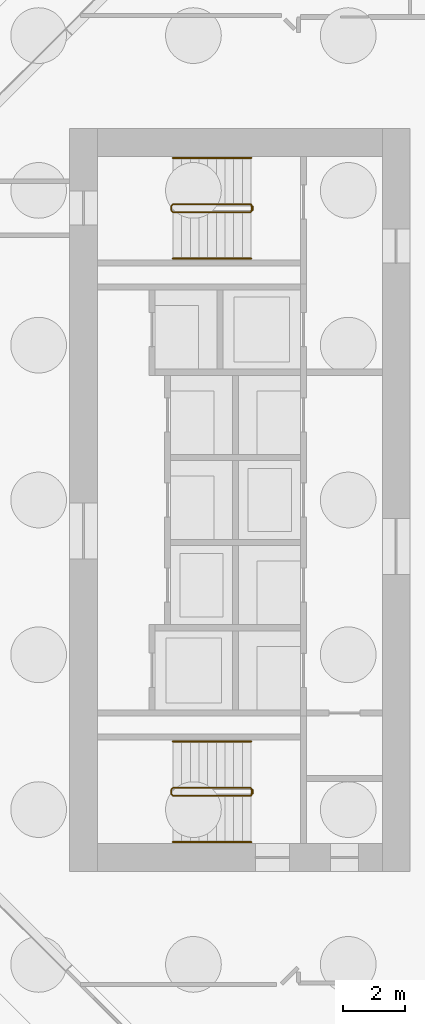
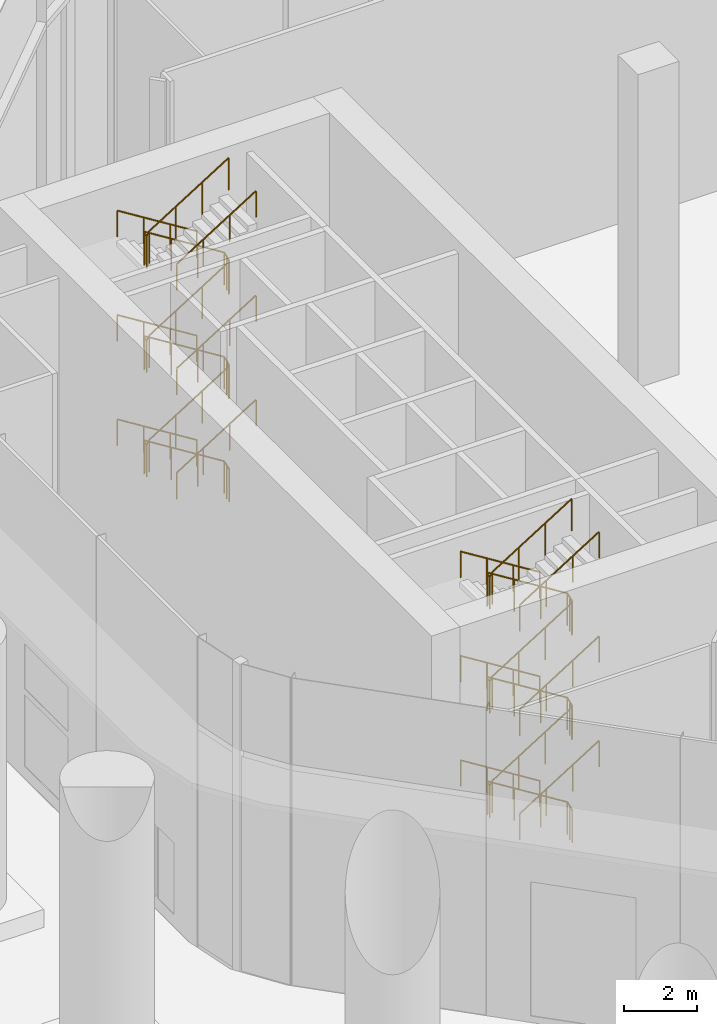
# One storey, part 28 of 31: 14 railings.
"""IFC4 building model written with IfcOpenShell, lengths in metres."""

from ifc_helpers import new_model, si_unit, direction, frame, origin, origin_2d, place, context, subcontext, project, spatial, circle, extrude, material, type_object, element, save


model = new_model("IFC4")

# Units and contexts
model_context = context("Model", 3, precision=1e-05, world=origin(), true_north=direction((0.0, 1.0)))
body_context = subcontext(model_context, "Body", "Model", "MODEL_VIEW")
ifc_project = project(units=[si_unit("LENGTHUNIT", "METRE"), si_unit("AREAUNIT", "SQUARE_METRE"), si_unit("VOLUMEUNIT", "CUBIC_METRE"), si_unit("PLANEANGLEUNIT", "RADIAN"), si_unit("MASSUNIT", "GRAM", prefix="KILO")], contexts=[model_context])

# Site, building, storey
site_placement = place(None, origin())
site = spatial("IfcSite", under=ifc_project, at=site_placement, CompositionType="ELEMENT")
building_placement = place(site_placement, origin())
building = spatial("IfcBuilding", under=site, at=building_placement, Name="Orlundy Tower", CompositionType="ELEMENT")
storey_placement = place(building_placement, origin())
storey = spatial("IfcBuildingStorey", under=building, at=storey_placement, Name="L00", CompositionType="ELEMENT", Elevation=0.0)

# Railings
ifc_material_1 = material(Name="Steel balustrade", Category="steel")
railing_type_1 = type_object("IfcRailingType", Name="Stair Guard 1100", PredefinedType="GUARDRAIL", material=ifc_material_1)
railing_1_placement = place(storey_placement, frame((-13.090087890625, 9.5, 0.0)))
element("IfcRailing", 1, at=railing_1_placement, inside=storey, type_object=railing_type_1, Name="L00 ST-W1 stair guard 1", PredefinedType="GUARDRAIL", context=body_context, shape_type="SweptSolid", body=[
    extrude(circle(Radius=0.02392578125, at=origin_2d()), frame((0.0, 0.0, 1.076171875), z_axis=(0.0, -1.0, 0.0), x_axis=(1.0, 0.0, 0.0)), (0.0, 0.0, 1.0), 0.14990234375),
    extrude(circle(Radius=0.02392578125, at=origin_2d()), frame((0.0, -0.14990234375, 1.076171875), z_axis=(-0.18420542264, 0.739530593833, 0.647427882513), x_axis=(-0.970351222016, -0.241699205484, 0.0)), (0.0, 0.0, 1.0), 0.270263671875),
    extrude(circle(Radius=0.02392578125, at=origin_2d()), frame((-0.0498046875, 0.050048828125, 1.2509765625), z_axis=(-0.848007534815, 0.0, 0.529984170421), x_axis=(0.0, -1.0, 0.0)), (0.0, 0.0, 1.0), 2.9716796875),
    extrude(circle(Radius=0.02392578125, at=origin_2d()), frame((-2.56982421875, 0.050048828125, 2.826171875), z_axis=(-0.707106781187, -0.707106781187, 0.0), x_axis=(0.707106781187, -0.707106781187, 0.0)), (0.0, 0.0, 1.0), 0.07080078125),
    extrude(circle(Radius=0.02392578125, at=origin_2d()), frame((-2.619873046875, 0.0, 2.826171875), z_axis=(0.0, -1.0, 0.0), x_axis=(1.0, 0.0, 0.0)), (0.0, 0.0, 1.0), 0.14990234375),
    extrude(circle(Radius=0.02392578125, at=origin_2d()), frame((-2.619873046875, -0.14990234375, 2.826171875), z_axis=(0.265065253269, -0.265065253269, 0.927081885822), x_axis=(0.707106781187, 0.707106781187, 0.0)), (0.0, 0.0, 1.0), 0.188720703125),
    extrude(circle(Radius=0.02392578125, at=origin_2d()), frame((-2.56982421875, -0.199951171875, 3.0009765625), z_axis=(0.848007534815, 0.0, 0.529984170421), x_axis=(0.0, 1.0, 0.0)), (0.0, 0.0, 1.0), 2.9716796875),
    extrude(circle(Radius=0.02392578125, at=origin_2d()), frame((-0.0498046875, -0.199951171875, 4.576171875), z_axis=(0.241699205484, 0.970351222016, 0.0), x_axis=(-0.970351222016, 0.241699205484, 0.0)), (0.0, 0.0, 1.0), 0.2060546875),
    extrude(circle(Radius=0.02392578125, at=origin_2d()), frame((0.0, 0.0, 4.576171875), z_axis=(0.0, -1.0, 0.0), x_axis=(1.0, 0.0, 0.0)), (0.0, 0.0, 1.0), 0.14990234375),
    extrude(circle(Radius=0.02392578125, at=origin_2d()), frame((0.0, -0.14990234375, 4.576171875), z_axis=(-0.18420542264, 0.739530593833, 0.647427882513), x_axis=(-0.970351222016, -0.241699205484, 0.0)), (0.0, 0.0, 1.0), 0.270263671875),
    extrude(circle(Radius=0.02392578125, at=origin_2d()), frame((-0.0498046875, 0.050048828125, 4.7509765625), z_axis=(-0.848007534815, 0.0, 0.529984170421), x_axis=(0.0, -1.0, 0.0)), (0.0, 0.0, 1.0), 2.9716796875),
    extrude(circle(Radius=0.02392578125, at=origin_2d()), frame((-2.56982421875, 0.050048828125, 6.326171875), z_axis=(-0.707106781187, -0.707106781187, 0.0), x_axis=(0.707106781187, -0.707106781187, 0.0)), (0.0, 0.0, 1.0), 0.07080078125),
    extrude(circle(Radius=0.02392578125, at=origin_2d()), frame((-2.619873046875, 0.0, 6.326171875), z_axis=(0.0, -1.0, 0.0), x_axis=(1.0, 0.0, 0.0)), (0.0, 0.0, 1.0), 0.14990234375),
    extrude(circle(Radius=0.02392578125, at=origin_2d()), frame((-2.619873046875, -0.14990234375, 6.326171875), z_axis=(0.265065253269, -0.265065253269, 0.927081885822), x_axis=(0.707106781187, 0.707106781187, 0.0)), (0.0, 0.0, 1.0), 0.188720703125),
    extrude(circle(Radius=0.02392578125, at=origin_2d()), frame((-2.56982421875, -0.199951171875, 6.5009765625), z_axis=(0.848007534815, 0.0, 0.529984170421), x_axis=(0.0, 1.0, 0.0)), (0.0, 0.0, 1.0), 2.9716796875),
    extrude(circle(Radius=0.02392578125, at=origin_2d()), frame((-0.0498046875, -0.199951171875, 8.076171875), z_axis=(0.241699205484, 0.970351222016, 0.0), x_axis=(-0.970351222016, 0.241699205484, 0.0)), (0.0, 0.0, 1.0), 0.2060546875),
    extrude(circle(Radius=0.02392578125, at=origin_2d()), frame((0.0, 0.0, 8.076171875), z_axis=(0.0, -1.0, 0.0), x_axis=(1.0, 0.0, 0.0)), (0.0, 0.0, 1.0), 0.14990234375),
    extrude(circle(Radius=0.02392578125, at=origin_2d()), frame((0.0, -0.14990234375, 8.076171875), z_axis=(-0.18420542264, 0.739530593833, 0.647427882513), x_axis=(-0.970351222016, -0.241699205484, 0.0)), (0.0, 0.0, 1.0), 0.270263671875),
    extrude(circle(Radius=0.02392578125, at=origin_2d()), frame((-0.0498046875, 0.050048828125, 8.2509765625), z_axis=(-0.848007534815, 0.0, 0.529984170421), x_axis=(0.0, -1.0, 0.0)), (0.0, 0.0, 1.0), 2.9716796875),
    extrude(circle(Radius=0.02392578125, at=origin_2d()), frame((-2.56982421875, 0.050048828125, 9.826171875), z_axis=(-0.707106781187, -0.707106781187, 0.0), x_axis=(0.707106781187, -0.707106781187, 0.0)), (0.0, 0.0, 1.0), 0.07080078125),
    extrude(circle(Radius=0.02392578125, at=origin_2d()), frame((-2.619873046875, 0.0, 9.826171875), z_axis=(0.0, -1.0, 0.0), x_axis=(1.0, 0.0, 0.0)), (0.0, 0.0, 1.0), 0.14990234375),
    extrude(circle(Radius=0.02392578125, at=origin_2d()), frame((-2.619873046875, -0.14990234375, 9.826171875), z_axis=(0.265065253269, -0.265065253269, 0.927081885822), x_axis=(0.707106781187, 0.707106781187, 0.0)), (0.0, 0.0, 1.0), 0.188720703125),
    extrude(circle(Radius=0.02392578125, at=origin_2d()), frame((-2.56982421875, -0.199951171875, 10.0009765625), z_axis=(0.848007534815, 0.0, 0.529984170421), x_axis=(0.0, 1.0, 0.0)), (0.0, 0.0, 1.0), 2.9716796875),
    extrude(circle(Radius=0.02099609375, at=origin_2d()), origin(), (0.0, 0.0, 1.0), 1.052001953125),
    extrude(circle(Radius=0.02099609375, at=origin_2d()), frame((0.0, -0.14990234375, 0.0)), (0.0, 0.0, 1.0), 1.052001953125),
    extrude(circle(Radius=0.02099609375, at=origin_2d()), frame((-0.0498046875, 0.050048828125, 0.175048828125)), (0.0, 0.0, 1.0), 1.052001953125),
    extrude(circle(Radius=0.02099609375, at=origin_2d()), frame((-0.889892578125, 0.050048828125, 0.699951171875)), (0.0, 0.0, 1.0), 1.052001953125),
    extrude(circle(Radius=0.02099609375, at=origin_2d()), frame((-1.729736328125, 0.050048828125, 1.22509765625)), (0.0, 0.0, 1.0), 1.052001953125),
    extrude(circle(Radius=0.02099609375, at=origin_2d()), frame((-2.56982421875, 0.050048828125, 1.75)), (0.0, 0.0, 1.0), 1.052001953125),
    extrude(circle(Radius=0.02099609375, at=origin_2d()), frame((-2.619873046875, 0.0, 1.75)), (0.0, 0.0, 1.0), 1.052001953125),
    extrude(circle(Radius=0.02099609375, at=origin_2d()), frame((-2.619873046875, -0.14990234375, 1.75)), (0.0, 0.0, 1.0), 1.052001953125),
    extrude(circle(Radius=0.02099609375, at=origin_2d()), frame((-2.56982421875, -0.199951171875, 1.925048828125)), (0.0, 0.0, 1.0), 1.052001953125),
    extrude(circle(Radius=0.02099609375, at=origin_2d()), frame((-1.729736328125, -0.199951171875, 2.449951171875)), (0.0, 0.0, 1.0), 1.052001953125),
    extrude(circle(Radius=0.02099609375, at=origin_2d()), frame((-0.889892578125, -0.199951171875, 2.97509765625)), (0.0, 0.0, 1.0), 1.052001953125),
    extrude(circle(Radius=0.02099609375, at=origin_2d()), frame((-0.0498046875, -0.199951171875, 3.5)), (0.0, 0.0, 1.0), 1.052001953125),
    extrude(circle(Radius=0.02099609375, at=origin_2d()), frame((0.0, 0.0, 3.5)), (0.0, 0.0, 1.0), 1.052001953125),
    extrude(circle(Radius=0.02099609375, at=origin_2d()), frame((0.0, -0.14990234375, 3.5)), (0.0, 0.0, 1.0), 1.052001953125),
    extrude(circle(Radius=0.02099609375, at=origin_2d()), frame((-0.0498046875, 0.050048828125, 3.675048828125)), (0.0, 0.0, 1.0), 1.052001953125),
    extrude(circle(Radius=0.02099609375, at=origin_2d()), frame((-0.889892578125, 0.050048828125, 4.199951171875)), (0.0, 0.0, 1.0), 1.052001953125),
    extrude(circle(Radius=0.02099609375, at=origin_2d()), frame((-1.729736328125, 0.050048828125, 4.72509765625)), (0.0, 0.0, 1.0), 1.052001953125),
    extrude(circle(Radius=0.02099609375, at=origin_2d()), frame((-2.56982421875, 0.050048828125, 5.25)), (0.0, 0.0, 1.0), 1.052001953125),
    extrude(circle(Radius=0.02099609375, at=origin_2d()), frame((-2.619873046875, 0.0, 5.25)), (0.0, 0.0, 1.0), 1.052001953125),
    extrude(circle(Radius=0.02099609375, at=origin_2d()), frame((-2.619873046875, -0.14990234375, 5.25)), (0.0, 0.0, 1.0), 1.052001953125),
    extrude(circle(Radius=0.02099609375, at=origin_2d()), frame((-2.56982421875, -0.199951171875, 5.425048828125)), (0.0, 0.0, 1.0), 1.052001953125),
    extrude(circle(Radius=0.02099609375, at=origin_2d()), frame((-1.729736328125, -0.199951171875, 5.949951171875)), (0.0, 0.0, 1.0), 1.052001953125),
    extrude(circle(Radius=0.02099609375, at=origin_2d()), frame((-0.889892578125, -0.199951171875, 6.47509765625)), (0.0, 0.0, 1.0), 1.052001953125),
    extrude(circle(Radius=0.02099609375, at=origin_2d()), frame((-0.0498046875, -0.199951171875, 7.0)), (0.0, 0.0, 1.0), 1.052001953125),
    extrude(circle(Radius=0.02099609375, at=origin_2d()), frame((0.0, 0.0, 7.0)), (0.0, 0.0, 1.0), 1.052001953125),
    extrude(circle(Radius=0.02099609375, at=origin_2d()), frame((0.0, -0.14990234375, 7.0)), (0.0, 0.0, 1.0), 1.052001953125),
    extrude(circle(Radius=0.02099609375, at=origin_2d()), frame((-0.0498046875, 0.050048828125, 7.175048828125)), (0.0, 0.0, 1.0), 1.052001953125),
    extrude(circle(Radius=0.02099609375, at=origin_2d()), frame((-0.889892578125, 0.050048828125, 7.699951171875)), (0.0, 0.0, 1.0), 1.052001953125),
    extrude(circle(Radius=0.02099609375, at=origin_2d()), frame((-1.729736328125, 0.050048828125, 8.22509765625)), (0.0, 0.0, 1.0), 1.052001953125),
    extrude(circle(Radius=0.02099609375, at=origin_2d()), frame((-2.56982421875, 0.050048828125, 8.75)), (0.0, 0.0, 1.0), 1.052001953125),
    extrude(circle(Radius=0.02099609375, at=origin_2d()), frame((-2.619873046875, 0.0, 8.75)), (0.0, 0.0, 1.0), 1.052001953125),
    extrude(circle(Radius=0.02099609375, at=origin_2d()), frame((-2.619873046875, -0.14990234375, 8.75)), (0.0, 0.0, 1.0), 1.052001953125),
    extrude(circle(Radius=0.02099609375, at=origin_2d()), frame((-2.56982421875, -0.199951171875, 8.925048828125)), (0.0, 0.0, 1.0), 1.052001953125),
    extrude(circle(Radius=0.02099609375, at=origin_2d()), frame((-1.729736328125, -0.199951171875, 9.449951171875)), (0.0, 0.0, 1.0), 1.052001953125),
    extrude(circle(Radius=0.02099609375, at=origin_2d()), frame((-0.889892578125, -0.199951171875, 9.97509765625)), (0.0, 0.0, 1.0), 1.052001953125),
    extrude(circle(Radius=0.02099609375, at=origin_2d()), frame((-0.0498046875, -0.199951171875, 10.5)), (0.0, 0.0, 1.0), 1.052001953125),
])
railing_2_placement = place(storey_placement, frame((-13.090087890625, -9.35009765625, 0.0)))
element("IfcRailing", 2, at=railing_2_placement, inside=storey, type_object=railing_type_1, Name="L00 ST-W2 stair guard 1", PredefinedType="GUARDRAIL", context=body_context, shape_type="SweptSolid", body=[
    extrude(circle(Radius=0.02392578125, at=origin_2d()), frame((0.0, 0.0, 1.076171875), z_axis=(0.0, -1.0, 0.0), x_axis=(1.0, 0.0, 0.0)), (0.0, 0.0, 1.0), 0.14990234375),
    extrude(circle(Radius=0.02392578125, at=origin_2d()), frame((0.0, -0.14990234375, 1.076171875), z_axis=(-0.18420542264, 0.739530593833, 0.647427882513), x_axis=(-0.970351222016, -0.241699205484, 0.0)), (0.0, 0.0, 1.0), 0.270263671875),
    extrude(circle(Radius=0.02392578125, at=origin_2d()), frame((-0.0498046875, 0.050048828125, 1.2509765625), z_axis=(-0.848007534815, 0.0, 0.529984170421), x_axis=(0.0, -1.0, 0.0)), (0.0, 0.0, 1.0), 2.9716796875),
    extrude(circle(Radius=0.02392578125, at=origin_2d()), frame((-2.56982421875, 0.050048828125, 2.826171875), z_axis=(-0.707106781187, -0.707106781187, 0.0), x_axis=(0.707106781187, -0.707106781187, 0.0)), (0.0, 0.0, 1.0), 0.07080078125),
    extrude(circle(Radius=0.02392578125, at=origin_2d()), frame((-2.619873046875, 0.0, 2.826171875), z_axis=(0.0, -1.0, 0.0), x_axis=(1.0, 0.0, 0.0)), (0.0, 0.0, 1.0), 0.14990234375),
    extrude(circle(Radius=0.02392578125, at=origin_2d()), frame((-2.619873046875, -0.14990234375, 2.826171875), z_axis=(0.265065253269, -0.265065253269, 0.927081885822), x_axis=(0.707106781187, 0.707106781187, 0.0)), (0.0, 0.0, 1.0), 0.188720703125),
    extrude(circle(Radius=0.02392578125, at=origin_2d()), frame((-2.56982421875, -0.199951171875, 3.0009765625), z_axis=(0.848007534815, 0.0, 0.529984170421), x_axis=(0.0, 1.0, 0.0)), (0.0, 0.0, 1.0), 2.9716796875),
    extrude(circle(Radius=0.02392578125, at=origin_2d()), frame((-0.0498046875, -0.199951171875, 4.576171875), z_axis=(0.241699205484, 0.970351222016, 0.0), x_axis=(-0.970351222016, 0.241699205484, 0.0)), (0.0, 0.0, 1.0), 0.2060546875),
    extrude(circle(Radius=0.02392578125, at=origin_2d()), frame((0.0, 0.0, 4.576171875), z_axis=(0.0, -1.0, 0.0), x_axis=(1.0, 0.0, 0.0)), (0.0, 0.0, 1.0), 0.14990234375),
    extrude(circle(Radius=0.02392578125, at=origin_2d()), frame((0.0, -0.14990234375, 4.576171875), z_axis=(-0.18420542264, 0.739530593833, 0.647427882513), x_axis=(-0.970351222016, -0.241699205484, 0.0)), (0.0, 0.0, 1.0), 0.270263671875),
    extrude(circle(Radius=0.02392578125, at=origin_2d()), frame((-0.0498046875, 0.050048828125, 4.7509765625), z_axis=(-0.848007534815, 0.0, 0.529984170421), x_axis=(0.0, -1.0, 0.0)), (0.0, 0.0, 1.0), 2.9716796875),
    extrude(circle(Radius=0.02392578125, at=origin_2d()), frame((-2.56982421875, 0.050048828125, 6.326171875), z_axis=(-0.707106781187, -0.707106781187, 0.0), x_axis=(0.707106781187, -0.707106781187, 0.0)), (0.0, 0.0, 1.0), 0.07080078125),
    extrude(circle(Radius=0.02392578125, at=origin_2d()), frame((-2.619873046875, 0.0, 6.326171875), z_axis=(0.0, -1.0, 0.0), x_axis=(1.0, 0.0, 0.0)), (0.0, 0.0, 1.0), 0.14990234375),
    extrude(circle(Radius=0.02392578125, at=origin_2d()), frame((-2.619873046875, -0.14990234375, 6.326171875), z_axis=(0.265065253269, -0.265065253269, 0.927081885822), x_axis=(0.707106781187, 0.707106781187, 0.0)), (0.0, 0.0, 1.0), 0.188720703125),
    extrude(circle(Radius=0.02392578125, at=origin_2d()), frame((-2.56982421875, -0.199951171875, 6.5009765625), z_axis=(0.848007534815, 0.0, 0.529984170421), x_axis=(0.0, 1.0, 0.0)), (0.0, 0.0, 1.0), 2.9716796875),
    extrude(circle(Radius=0.02392578125, at=origin_2d()), frame((-0.0498046875, -0.199951171875, 8.076171875), z_axis=(0.241699205484, 0.970351222016, 0.0), x_axis=(-0.970351222016, 0.241699205484, 0.0)), (0.0, 0.0, 1.0), 0.2060546875),
    extrude(circle(Radius=0.02392578125, at=origin_2d()), frame((0.0, 0.0, 8.076171875), z_axis=(0.0, -1.0, 0.0), x_axis=(1.0, 0.0, 0.0)), (0.0, 0.0, 1.0), 0.14990234375),
    extrude(circle(Radius=0.02392578125, at=origin_2d()), frame((0.0, -0.14990234375, 8.076171875), z_axis=(-0.18420542264, 0.739530593833, 0.647427882513), x_axis=(-0.970351222016, -0.241699205484, 0.0)), (0.0, 0.0, 1.0), 0.270263671875),
    extrude(circle(Radius=0.02392578125, at=origin_2d()), frame((-0.0498046875, 0.050048828125, 8.2509765625), z_axis=(-0.848007534815, 0.0, 0.529984170421), x_axis=(0.0, -1.0, 0.0)), (0.0, 0.0, 1.0), 2.9716796875),
    extrude(circle(Radius=0.02392578125, at=origin_2d()), frame((-2.56982421875, 0.050048828125, 9.826171875), z_axis=(-0.707106781187, -0.707106781187, 0.0), x_axis=(0.707106781187, -0.707106781187, 0.0)), (0.0, 0.0, 1.0), 0.07080078125),
    extrude(circle(Radius=0.02392578125, at=origin_2d()), frame((-2.619873046875, 0.0, 9.826171875), z_axis=(0.0, -1.0, 0.0), x_axis=(1.0, 0.0, 0.0)), (0.0, 0.0, 1.0), 0.14990234375),
    extrude(circle(Radius=0.02392578125, at=origin_2d()), frame((-2.619873046875, -0.14990234375, 9.826171875), z_axis=(0.265065253269, -0.265065253269, 0.927081885822), x_axis=(0.707106781187, 0.707106781187, 0.0)), (0.0, 0.0, 1.0), 0.188720703125),
    extrude(circle(Radius=0.02392578125, at=origin_2d()), frame((-2.56982421875, -0.199951171875, 10.0009765625), z_axis=(0.848007534815, 0.0, 0.529984170421), x_axis=(0.0, 1.0, 0.0)), (0.0, 0.0, 1.0), 2.9716796875),
    extrude(circle(Radius=0.02099609375, at=origin_2d()), origin(), (0.0, 0.0, 1.0), 1.052001953125),
    extrude(circle(Radius=0.02099609375, at=origin_2d()), frame((0.0, -0.14990234375, 0.0)), (0.0, 0.0, 1.0), 1.052001953125),
    extrude(circle(Radius=0.02099609375, at=origin_2d()), frame((-0.0498046875, 0.050048828125, 0.175048828125)), (0.0, 0.0, 1.0), 1.052001953125),
    extrude(circle(Radius=0.02099609375, at=origin_2d()), frame((-0.889892578125, 0.050048828125, 0.699951171875)), (0.0, 0.0, 1.0), 1.052001953125),
    extrude(circle(Radius=0.02099609375, at=origin_2d()), frame((-1.729736328125, 0.050048828125, 1.22509765625)), (0.0, 0.0, 1.0), 1.052001953125),
    extrude(circle(Radius=0.02099609375, at=origin_2d()), frame((-2.56982421875, 0.050048828125, 1.75)), (0.0, 0.0, 1.0), 1.052001953125),
    extrude(circle(Radius=0.02099609375, at=origin_2d()), frame((-2.619873046875, 0.0, 1.75)), (0.0, 0.0, 1.0), 1.052001953125),
    extrude(circle(Radius=0.02099609375, at=origin_2d()), frame((-2.619873046875, -0.14990234375, 1.75)), (0.0, 0.0, 1.0), 1.052001953125),
    extrude(circle(Radius=0.02099609375, at=origin_2d()), frame((-2.56982421875, -0.199951171875, 1.925048828125)), (0.0, 0.0, 1.0), 1.052001953125),
    extrude(circle(Radius=0.02099609375, at=origin_2d()), frame((-1.729736328125, -0.199951171875, 2.449951171875)), (0.0, 0.0, 1.0), 1.052001953125),
    extrude(circle(Radius=0.02099609375, at=origin_2d()), frame((-0.889892578125, -0.199951171875, 2.97509765625)), (0.0, 0.0, 1.0), 1.052001953125),
    extrude(circle(Radius=0.02099609375, at=origin_2d()), frame((-0.0498046875, -0.199951171875, 3.5)), (0.0, 0.0, 1.0), 1.052001953125),
    extrude(circle(Radius=0.02099609375, at=origin_2d()), frame((0.0, 0.0, 3.5)), (0.0, 0.0, 1.0), 1.052001953125),
    extrude(circle(Radius=0.02099609375, at=origin_2d()), frame((0.0, -0.14990234375, 3.5)), (0.0, 0.0, 1.0), 1.052001953125),
    extrude(circle(Radius=0.02099609375, at=origin_2d()), frame((-0.0498046875, 0.050048828125, 3.675048828125)), (0.0, 0.0, 1.0), 1.052001953125),
    extrude(circle(Radius=0.02099609375, at=origin_2d()), frame((-0.889892578125, 0.050048828125, 4.199951171875)), (0.0, 0.0, 1.0), 1.052001953125),
    extrude(circle(Radius=0.02099609375, at=origin_2d()), frame((-1.729736328125, 0.050048828125, 4.72509765625)), (0.0, 0.0, 1.0), 1.052001953125),
    extrude(circle(Radius=0.02099609375, at=origin_2d()), frame((-2.56982421875, 0.050048828125, 5.25)), (0.0, 0.0, 1.0), 1.052001953125),
    extrude(circle(Radius=0.02099609375, at=origin_2d()), frame((-2.619873046875, 0.0, 5.25)), (0.0, 0.0, 1.0), 1.052001953125),
    extrude(circle(Radius=0.02099609375, at=origin_2d()), frame((-2.619873046875, -0.14990234375, 5.25)), (0.0, 0.0, 1.0), 1.052001953125),
    extrude(circle(Radius=0.02099609375, at=origin_2d()), frame((-2.56982421875, -0.199951171875, 5.425048828125)), (0.0, 0.0, 1.0), 1.052001953125),
    extrude(circle(Radius=0.02099609375, at=origin_2d()), frame((-1.729736328125, -0.199951171875, 5.949951171875)), (0.0, 0.0, 1.0), 1.052001953125),
    extrude(circle(Radius=0.02099609375, at=origin_2d()), frame((-0.889892578125, -0.199951171875, 6.47509765625)), (0.0, 0.0, 1.0), 1.052001953125),
    extrude(circle(Radius=0.02099609375, at=origin_2d()), frame((-0.0498046875, -0.199951171875, 7.0)), (0.0, 0.0, 1.0), 1.052001953125),
    extrude(circle(Radius=0.02099609375, at=origin_2d()), frame((0.0, 0.0, 7.0)), (0.0, 0.0, 1.0), 1.052001953125),
    extrude(circle(Radius=0.02099609375, at=origin_2d()), frame((0.0, -0.14990234375, 7.0)), (0.0, 0.0, 1.0), 1.052001953125),
    extrude(circle(Radius=0.02099609375, at=origin_2d()), frame((-0.0498046875, 0.050048828125, 7.175048828125)), (0.0, 0.0, 1.0), 1.052001953125),
    extrude(circle(Radius=0.02099609375, at=origin_2d()), frame((-0.889892578125, 0.050048828125, 7.699951171875)), (0.0, 0.0, 1.0), 1.052001953125),
    extrude(circle(Radius=0.02099609375, at=origin_2d()), frame((-1.729736328125, 0.050048828125, 8.22509765625)), (0.0, 0.0, 1.0), 1.052001953125),
    extrude(circle(Radius=0.02099609375, at=origin_2d()), frame((-2.56982421875, 0.050048828125, 8.75)), (0.0, 0.0, 1.0), 1.052001953125),
    extrude(circle(Radius=0.02099609375, at=origin_2d()), frame((-2.619873046875, 0.0, 8.75)), (0.0, 0.0, 1.0), 1.052001953125),
    extrude(circle(Radius=0.02099609375, at=origin_2d()), frame((-2.619873046875, -0.14990234375, 8.75)), (0.0, 0.0, 1.0), 1.052001953125),
    extrude(circle(Radius=0.02099609375, at=origin_2d()), frame((-2.56982421875, -0.199951171875, 8.925048828125)), (0.0, 0.0, 1.0), 1.052001953125),
    extrude(circle(Radius=0.02099609375, at=origin_2d()), frame((-1.729736328125, -0.199951171875, 9.449951171875)), (0.0, 0.0, 1.0), 1.052001953125),
    extrude(circle(Radius=0.02099609375, at=origin_2d()), frame((-0.889892578125, -0.199951171875, 9.97509765625)), (0.0, 0.0, 1.0), 1.052001953125),
    extrude(circle(Radius=0.02099609375, at=origin_2d()), frame((-0.0498046875, -0.199951171875, 10.5)), (0.0, 0.0, 1.0), 1.052001953125),
])
ifc_material_2 = material(Name="Steel handrail", Category="steel")
railing_type_2 = type_object("IfcRailingType", Name="Stair Handrail 900", PredefinedType="HANDRAIL", material=ifc_material_2)
railing_3_placement = place(storey_placement, frame((-13.139892578125, 11.050048828125, 0.175048828125)))
element("IfcRailing", 3, at=railing_3_placement, inside=storey, type_object=railing_type_2, Name="L00 ST-W1 stair handrail 1", PredefinedType="HANDRAIL", context=body_context, shape_type="SweptSolid", body=[
    extrude(circle(Radius=0.02392578125, at=origin_2d()), frame((0.0, 0.0, 0.8759765625), z_axis=(-0.848007534815, 0.0, 0.529984170421), x_axis=(0.0, -1.0, 0.0)), (0.0, 0.0, 1.0), 2.9716796875),
    extrude(circle(Radius=0.02099609375, at=origin_2d()), origin(), (0.0, 0.0, 1.0), 0.851806640625),
    extrude(circle(Radius=0.02099609375, at=origin_2d()), frame((-0.840087890625, 0.0, 0.52490234375)), (0.0, 0.0, 1.0), 0.851806640625),
    extrude(circle(Radius=0.02099609375, at=origin_2d()), frame((-1.679931640625, 0.0, 1.050048828125)), (0.0, 0.0, 1.0), 0.851806640625),
    extrude(circle(Radius=0.02099609375, at=origin_2d()), frame((-2.52001953125, 0.0, 1.574951171875)), (0.0, 0.0, 1.0), 0.851806640625),
])
railing_4_placement = place(storey_placement, frame((-15.659912109375, 7.800048828125, 1.925048828125)))
element("IfcRailing", 4, at=railing_4_placement, inside=storey, type_object=railing_type_2, Name="L00 ST-W1 stair handrail 2", PredefinedType="HANDRAIL", context=body_context, shape_type="SweptSolid", body=[
    extrude(circle(Radius=0.02392578125, at=origin_2d()), frame((0.0, 0.0, 0.8759765625), z_axis=(0.848007534815, 0.0, 0.529984170421), x_axis=(0.0, 1.0, 0.0)), (0.0, 0.0, 1.0), 2.9716796875),
    extrude(circle(Radius=0.02099609375, at=origin_2d()), origin(), (0.0, 0.0, 1.0), 0.851806640625),
    extrude(circle(Radius=0.02099609375, at=origin_2d()), frame((0.840087890625, 0.0, 0.52490234375)), (0.0, 0.0, 1.0), 0.851806640625),
    extrude(circle(Radius=0.02099609375, at=origin_2d()), frame((1.679931640625, 0.0, 1.050048828125)), (0.0, 0.0, 1.0), 0.851806640625),
    extrude(circle(Radius=0.02099609375, at=origin_2d()), frame((2.52001953125, 0.0, 1.574951171875)), (0.0, 0.0, 1.0), 0.851806640625),
])
railing_5_placement = place(storey_placement, frame((-13.139892578125, 11.050048828125, 3.675048828125)))
element("IfcRailing", 5, at=railing_5_placement, inside=storey, type_object=railing_type_2, Name="L00 ST-W1 stair handrail 3", PredefinedType="HANDRAIL", context=body_context, shape_type="SweptSolid", body=[
    extrude(circle(Radius=0.02392578125, at=origin_2d()), frame((0.0, 0.0, 0.8759765625), z_axis=(-0.848007534815, 0.0, 0.529984170421), x_axis=(0.0, -1.0, 0.0)), (0.0, 0.0, 1.0), 2.9716796875),
    extrude(circle(Radius=0.02099609375, at=origin_2d()), origin(), (0.0, 0.0, 1.0), 0.851806640625),
    extrude(circle(Radius=0.02099609375, at=origin_2d()), frame((-0.840087890625, 0.0, 0.52490234375)), (0.0, 0.0, 1.0), 0.851806640625),
    extrude(circle(Radius=0.02099609375, at=origin_2d()), frame((-1.679931640625, 0.0, 1.050048828125)), (0.0, 0.0, 1.0), 0.851806640625),
    extrude(circle(Radius=0.02099609375, at=origin_2d()), frame((-2.52001953125, 0.0, 1.574951171875)), (0.0, 0.0, 1.0), 0.851806640625),
])
railing_6_placement = place(storey_placement, frame((-15.659912109375, 7.800048828125, 5.425048828125)))
element("IfcRailing", 6, at=railing_6_placement, inside=storey, type_object=railing_type_2, Name="L00 ST-W1 stair handrail 4", PredefinedType="HANDRAIL", context=body_context, shape_type="SweptSolid", body=[
    extrude(circle(Radius=0.02392578125, at=origin_2d()), frame((0.0, 0.0, 0.8759765625), z_axis=(0.848007534815, 0.0, 0.529984170421), x_axis=(0.0, 1.0, 0.0)), (0.0, 0.0, 1.0), 2.9716796875),
    extrude(circle(Radius=0.02099609375, at=origin_2d()), origin(), (0.0, 0.0, 1.0), 0.851806640625),
    extrude(circle(Radius=0.02099609375, at=origin_2d()), frame((0.840087890625, 0.0, 0.52490234375)), (0.0, 0.0, 1.0), 0.851806640625),
    extrude(circle(Radius=0.02099609375, at=origin_2d()), frame((1.679931640625, 0.0, 1.050048828125)), (0.0, 0.0, 1.0), 0.851806640625),
    extrude(circle(Radius=0.02099609375, at=origin_2d()), frame((2.52001953125, 0.0, 1.574951171875)), (0.0, 0.0, 1.0), 0.851806640625),
])
railing_7_placement = place(storey_placement, frame((-13.139892578125, 11.050048828125, 7.175048828125)))
element("IfcRailing", 7, at=railing_7_placement, inside=storey, type_object=railing_type_2, Name="L00 ST-W1 stair handrail 5", PredefinedType="HANDRAIL", context=body_context, shape_type="SweptSolid", body=[
    extrude(circle(Radius=0.02392578125, at=origin_2d()), frame((0.0, 0.0, 0.8759765625), z_axis=(-0.848007534815, 0.0, 0.529984170421), x_axis=(0.0, -1.0, 0.0)), (0.0, 0.0, 1.0), 2.9716796875),
    extrude(circle(Radius=0.02099609375, at=origin_2d()), origin(), (0.0, 0.0, 1.0), 0.851806640625),
    extrude(circle(Radius=0.02099609375, at=origin_2d()), frame((-0.840087890625, 0.0, 0.52490234375)), (0.0, 0.0, 1.0), 0.851806640625),
    extrude(circle(Radius=0.02099609375, at=origin_2d()), frame((-1.679931640625, 0.0, 1.050048828125)), (0.0, 0.0, 1.0), 0.851806640625),
    extrude(circle(Radius=0.02099609375, at=origin_2d()), frame((-2.52001953125, 0.0, 1.574951171875)), (0.0, 0.0, 1.0), 0.851806640625),
])
railing_8_placement = place(storey_placement, frame((-15.659912109375, 7.800048828125, 8.925048828125)))
element("IfcRailing", 8, at=railing_8_placement, inside=storey, type_object=railing_type_2, Name="L00 ST-W1 stair handrail 6", PredefinedType="HANDRAIL", context=body_context, shape_type="SweptSolid", body=[
    extrude(circle(Radius=0.02392578125, at=origin_2d()), frame((0.0, 0.0, 0.8759765625), z_axis=(0.848007534815, 0.0, 0.529984170421), x_axis=(0.0, 1.0, 0.0)), (0.0, 0.0, 1.0), 2.9716796875),
    extrude(circle(Radius=0.02099609375, at=origin_2d()), origin(), (0.0, 0.0, 1.0), 0.851806640625),
    extrude(circle(Radius=0.02099609375, at=origin_2d()), frame((0.840087890625, 0.0, 0.52490234375)), (0.0, 0.0, 1.0), 0.851806640625),
    extrude(circle(Radius=0.02099609375, at=origin_2d()), frame((1.679931640625, 0.0, 1.050048828125)), (0.0, 0.0, 1.0), 0.851806640625),
    extrude(circle(Radius=0.02099609375, at=origin_2d()), frame((2.52001953125, 0.0, 1.574951171875)), (0.0, 0.0, 1.0), 0.851806640625),
])
railing_9_placement = place(storey_placement, frame((-13.139892578125, -7.800048828125, 0.175048828125)))
element("IfcRailing", 9, at=railing_9_placement, inside=storey, type_object=railing_type_2, Name="L00 ST-W2 stair handrail 1", PredefinedType="HANDRAIL", context=body_context, shape_type="SweptSolid", body=[
    extrude(circle(Radius=0.02392578125, at=origin_2d()), frame((0.0, 0.0, 0.8759765625), z_axis=(-0.848007534815, 0.0, 0.529984170421), x_axis=(0.0, -1.0, 0.0)), (0.0, 0.0, 1.0), 2.9716796875),
    extrude(circle(Radius=0.02099609375, at=origin_2d()), origin(), (0.0, 0.0, 1.0), 0.851806640625),
    extrude(circle(Radius=0.02099609375, at=origin_2d()), frame((-0.840087890625, 0.0, 0.52490234375)), (0.0, 0.0, 1.0), 0.851806640625),
    extrude(circle(Radius=0.02099609375, at=origin_2d()), frame((-1.679931640625, 0.0, 1.050048828125)), (0.0, 0.0, 1.0), 0.851806640625),
    extrude(circle(Radius=0.02099609375, at=origin_2d()), frame((-2.52001953125, 0.0, 1.574951171875)), (0.0, 0.0, 1.0), 0.851806640625),
])
railing_10_placement = place(storey_placement, frame((-15.659912109375, -11.050048828125, 1.925048828125)))
element("IfcRailing", 10, at=railing_10_placement, inside=storey, type_object=railing_type_2, Name="L00 ST-W2 stair handrail 2", PredefinedType="HANDRAIL", context=body_context, shape_type="SweptSolid", body=[
    extrude(circle(Radius=0.02392578125, at=origin_2d()), frame((0.0, 0.0, 0.8759765625), z_axis=(0.848007534815, 0.0, 0.529984170421), x_axis=(0.0, 1.0, 0.0)), (0.0, 0.0, 1.0), 2.9716796875),
    extrude(circle(Radius=0.02099609375, at=origin_2d()), origin(), (0.0, 0.0, 1.0), 0.851806640625),
    extrude(circle(Radius=0.02099609375, at=origin_2d()), frame((0.840087890625, 0.0, 0.52490234375)), (0.0, 0.0, 1.0), 0.851806640625),
    extrude(circle(Radius=0.02099609375, at=origin_2d()), frame((1.679931640625, 0.0, 1.050048828125)), (0.0, 0.0, 1.0), 0.851806640625),
    extrude(circle(Radius=0.02099609375, at=origin_2d()), frame((2.52001953125, 0.0, 1.574951171875)), (0.0, 0.0, 1.0), 0.851806640625),
])
railing_11_placement = place(storey_placement, frame((-13.139892578125, -7.800048828125, 3.675048828125)))
element("IfcRailing", 11, at=railing_11_placement, inside=storey, type_object=railing_type_2, Name="L00 ST-W2 stair handrail 3", PredefinedType="HANDRAIL", context=body_context, shape_type="SweptSolid", body=[
    extrude(circle(Radius=0.02392578125, at=origin_2d()), frame((0.0, 0.0, 0.8759765625), z_axis=(-0.848007534815, 0.0, 0.529984170421), x_axis=(0.0, -1.0, 0.0)), (0.0, 0.0, 1.0), 2.9716796875),
    extrude(circle(Radius=0.02099609375, at=origin_2d()), origin(), (0.0, 0.0, 1.0), 0.851806640625),
    extrude(circle(Radius=0.02099609375, at=origin_2d()), frame((-0.840087890625, 0.0, 0.52490234375)), (0.0, 0.0, 1.0), 0.851806640625),
    extrude(circle(Radius=0.02099609375, at=origin_2d()), frame((-1.679931640625, 0.0, 1.050048828125)), (0.0, 0.0, 1.0), 0.851806640625),
    extrude(circle(Radius=0.02099609375, at=origin_2d()), frame((-2.52001953125, 0.0, 1.574951171875)), (0.0, 0.0, 1.0), 0.851806640625),
])
railing_12_placement = place(storey_placement, frame((-15.659912109375, -11.050048828125, 5.425048828125)))
element("IfcRailing", 12, at=railing_12_placement, inside=storey, type_object=railing_type_2, Name="L00 ST-W2 stair handrail 4", PredefinedType="HANDRAIL", context=body_context, shape_type="SweptSolid", body=[
    extrude(circle(Radius=0.02392578125, at=origin_2d()), frame((0.0, 0.0, 0.8759765625), z_axis=(0.848007534815, 0.0, 0.529984170421), x_axis=(0.0, 1.0, 0.0)), (0.0, 0.0, 1.0), 2.9716796875),
    extrude(circle(Radius=0.02099609375, at=origin_2d()), origin(), (0.0, 0.0, 1.0), 0.851806640625),
    extrude(circle(Radius=0.02099609375, at=origin_2d()), frame((0.840087890625, 0.0, 0.52490234375)), (0.0, 0.0, 1.0), 0.851806640625),
    extrude(circle(Radius=0.02099609375, at=origin_2d()), frame((1.679931640625, 0.0, 1.050048828125)), (0.0, 0.0, 1.0), 0.851806640625),
    extrude(circle(Radius=0.02099609375, at=origin_2d()), frame((2.52001953125, 0.0, 1.574951171875)), (0.0, 0.0, 1.0), 0.851806640625),
])
railing_13_placement = place(storey_placement, frame((-13.139892578125, -7.800048828125, 7.175048828125)))
element("IfcRailing", 13, at=railing_13_placement, inside=storey, type_object=railing_type_2, Name="L00 ST-W2 stair handrail 5", PredefinedType="HANDRAIL", context=body_context, shape_type="SweptSolid", body=[
    extrude(circle(Radius=0.02392578125, at=origin_2d()), frame((0.0, 0.0, 0.8759765625), z_axis=(-0.848007534815, 0.0, 0.529984170421), x_axis=(0.0, -1.0, 0.0)), (0.0, 0.0, 1.0), 2.9716796875),
    extrude(circle(Radius=0.02099609375, at=origin_2d()), origin(), (0.0, 0.0, 1.0), 0.851806640625),
    extrude(circle(Radius=0.02099609375, at=origin_2d()), frame((-0.840087890625, 0.0, 0.52490234375)), (0.0, 0.0, 1.0), 0.851806640625),
    extrude(circle(Radius=0.02099609375, at=origin_2d()), frame((-1.679931640625, 0.0, 1.050048828125)), (0.0, 0.0, 1.0), 0.851806640625),
    extrude(circle(Radius=0.02099609375, at=origin_2d()), frame((-2.52001953125, 0.0, 1.574951171875)), (0.0, 0.0, 1.0), 0.851806640625),
])
railing_14_placement = place(storey_placement, frame((-15.659912109375, -11.050048828125, 8.925048828125)))
element("IfcRailing", 14, at=railing_14_placement, inside=storey, type_object=railing_type_2, Name="L00 ST-W2 stair handrail 6", PredefinedType="HANDRAIL", context=body_context, shape_type="SweptSolid", body=[
    extrude(circle(Radius=0.02392578125, at=origin_2d()), frame((0.0, 0.0, 0.8759765625), z_axis=(0.848007534815, 0.0, 0.529984170421), x_axis=(0.0, 1.0, 0.0)), (0.0, 0.0, 1.0), 2.9716796875),
    extrude(circle(Radius=0.02099609375, at=origin_2d()), origin(), (0.0, 0.0, 1.0), 0.851806640625),
    extrude(circle(Radius=0.02099609375, at=origin_2d()), frame((0.840087890625, 0.0, 0.52490234375)), (0.0, 0.0, 1.0), 0.851806640625),
    extrude(circle(Radius=0.02099609375, at=origin_2d()), frame((1.679931640625, 0.0, 1.050048828125)), (0.0, 0.0, 1.0), 0.851806640625),
    extrude(circle(Radius=0.02099609375, at=origin_2d()), frame((2.52001953125, 0.0, 1.574951171875)), (0.0, 0.0, 1.0), 0.851806640625),
])

save(model, "model.ifc")
